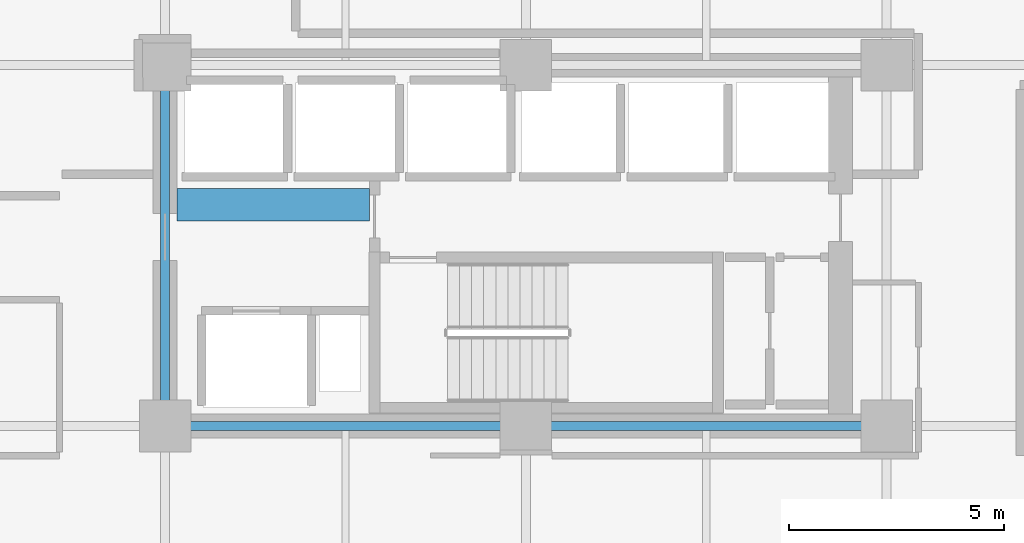
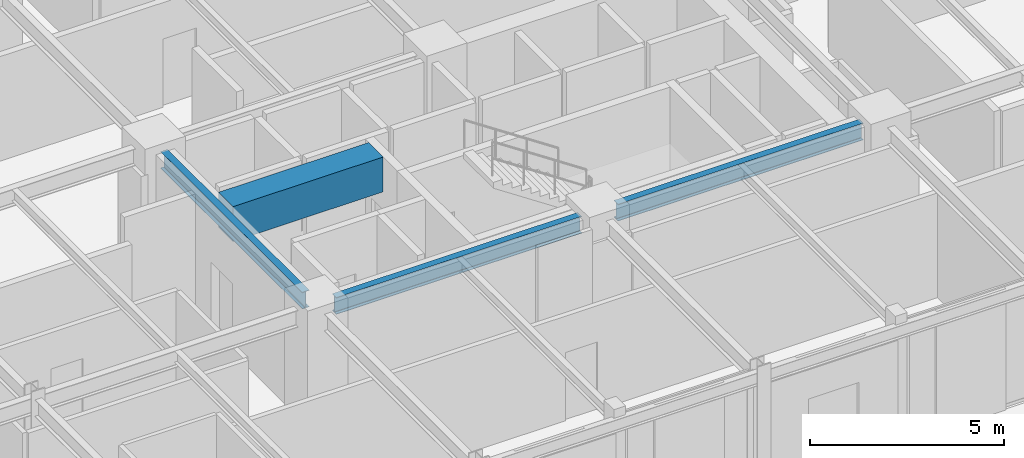
# One storey, part 10 of 39: 4 beams.
"""IFC4 building model written with IfcOpenShell, lengths in metres."""

import ifcopenshell
import ifcopenshell.guid

model = None  # the IFC model being written
_history = None  # IfcOwnerHistory: only IFC2X3 demands one
_inside = {}  # id of a spatial element -> (the spatial element, [elements in it])
_under = {}  # id of a project, library or spatial element -> (it, [spatial elements below it])
_declared = {}  # id of a project -> (the project, [libraries it declares])
_typed = {}  # id of a type object -> (the type object, [elements of that type])
_made_of = {}  # id of a material, layer set ... -> (it, [elements and type objects made of it])


def new_model(schema):
    """Start an empty IFC model of exactly this schema.

    Asked for "IFC4X3", IfcOpenShell would pick the latest addendum, in which some entities
    have other attributes; the version numbers below select the first issue.
    IFC2X3 requires an IfcOwnerHistory on every rooted entity: one is made here for all.
    """
    global model, _history
    if schema == "IFC4X3":
        model = ifcopenshell.file(schema_version=(4, 3, 0, 0))
    else:
        model = ifcopenshell.file(schema=schema)
    _inside.clear()
    _under.clear()
    _declared.clear()
    _typed.clear()
    _made_of.clear()
    _history = None
    if model.schema == "IFC2X3":
        org = make("IfcOrganization", Name="unknown")
        user = make(
            "IfcPersonAndOrganization",
            ThePerson=make("IfcPerson", FamilyName="unknown"),
            TheOrganization=org,
        )
        app = make(
            "IfcApplication",
            ApplicationDeveloper=org,
            Version="unknown",
            ApplicationFullName="unknown",
            ApplicationIdentifier="unknown",
        )
        _history = make(
            "IfcOwnerHistory",
            OwningUser=user,
            OwningApplication=app,
            ChangeAction="ADDED",
            CreationDate=0,
        )
    return model


def make(cls, **values):
    """One entity of the class cls with the attributes given. An attribute that is None is left unset."""
    return model.create_entity(
        cls, **{name: value for name, value in values.items() if value is not None}
    )


def rooted(cls, **values):
    """An entity with a GlobalId (a new one), such as an element, a storey or a relation."""
    return make(cls, GlobalId=ifcopenshell.guid.new(), OwnerHistory=_history, **values)


def si_unit(unit_type, name, prefix=None):
    """IfcSIUnit, for example si_unit("LENGTHUNIT", "METRE", prefix="MILLI")."""
    return make("IfcSIUnit", UnitType=unit_type, Prefix=prefix, Name=name)


def assignment(units):
    """IfcUnitAssignment: the units of a project."""
    return None if units is None else make("IfcUnitAssignment", Units=units)


def point(xyz):
    """IfcCartesianPoint."""
    return None if xyz is None else make("IfcCartesianPoint", Coordinates=xyz)


def direction(xyz):
    """IfcDirection."""
    return None if xyz is None else make("IfcDirection", DirectionRatios=xyz)


def frame(location, z_axis=None, x_axis=None):
    """IfcAxis2Placement3D, a coordinate frame: its origin and axes. An axis left out is left unset."""
    return make(
        "IfcAxis2Placement3D",
        Location=point(location),
        Axis=direction(z_axis),
        RefDirection=direction(x_axis),
    )


def frame_2d(location, x_axis=None):
    """IfcAxis2Placement2D, a coordinate frame in the plane: its origin and x axis."""
    return make(
        "IfcAxis2Placement2D", Location=point(location), RefDirection=direction(x_axis)
    )


def origin():
    """The frame at (0, 0, 0) with its axes left unset."""
    return frame((0.0, 0.0, 0.0))


def origin_2d():
    """The frame at (0, 0) in the plane with its x axis left unset."""
    return frame_2d((0.0, 0.0))


def place(relative_to, where):
    """IfcLocalPlacement: puts the frame where relative to a parent placement (None: the world)."""
    return make(
        "IfcLocalPlacement", PlacementRelTo=relative_to, RelativePlacement=where
    )


def context(
    kind, dimensions, precision=None, world=None, true_north=None, identifier=None
):
    """IfcGeometricRepresentationContext, for example the 3D "Model" context."""
    return make(
        "IfcGeometricRepresentationContext",
        ContextIdentifier=identifier,
        ContextType=kind,
        CoordinateSpaceDimension=dimensions,
        Precision=precision,
        WorldCoordinateSystem=world,
        TrueNorth=true_north,
    )


def subcontext(parent, identifier, kind, view, scale=None):
    """IfcGeometricRepresentationSubContext, for example "Body" below "Model"."""
    return make(
        "IfcGeometricRepresentationSubContext",
        ContextIdentifier=identifier,
        ContextType=kind,
        ParentContext=parent,
        TargetScale=scale,
        TargetView=view,
    )


def project(units=None, contexts=None):
    """IfcProject with its units and contexts."""
    return rooted(
        "IfcProject",
        Name="project",
        RepresentationContexts=contexts,
        UnitsInContext=assignment(units),
    )


def spatial(cls, under=None, at=None, **own):
    """A site, building, storey or space (cls), placed at a placement, below another one or the project."""
    s = rooted(cls, ObjectPlacement=at, **own)
    if under is not None:
        _under.setdefault(under.id(), (under, []))[1].append(s)
    return s


def profile(cls, at=None, kind="AREA", **sizes):
    """A parametric profile (cls). Its sizes go by their IFC names, for example OverallWidth=200.0."""
    return make(cls, ProfileType=kind, Position=at, **sizes)


def rectangle(**sizes):
    """IfcRectangleProfileDef."""
    return profile("IfcRectangleProfileDef", **sizes)


def i_section(**sizes):
    """IfcIShapeProfileDef."""
    return profile("IfcIShapeProfileDef", **sizes)


def extrude(swept, where, along, depth):
    """IfcExtrudedAreaSolid: the profile swept, set in the frame where, extruded along a direction by depth."""
    return make(
        "IfcExtrudedAreaSolid",
        SweptArea=swept,
        Position=where,
        ExtrudedDirection=direction(along),
        Depth=depth,
    )


def shape(context_of_items, identifier, shape_type, items):
    """IfcShapeRepresentation: the items that make up one representation, for example the "Body"."""
    return make(
        "IfcShapeRepresentation",
        ContextOfItems=context_of_items,
        RepresentationIdentifier=identifier,
        RepresentationType=shape_type,
        Items=items,
    )


def material(Name=None, Category=None):
    """IfcMaterial."""
    return make("IfcMaterial", Name=Name, Category=Category)


def material_profile(
    of_material, cross_section, Name=None, Category=None, Priority=None
):
    """IfcMaterialProfile: a cross section and its material."""
    return make(
        "IfcMaterialProfile",
        Name=Name,
        Material=of_material,
        Profile=cross_section,
        Priority=Priority,
        Category=Category,
    )


def profile_set(profiles, Name=None, composite=None):
    """IfcMaterialProfileSet."""
    return make(
        "IfcMaterialProfileSet",
        Name=Name,
        MaterialProfiles=profiles,
        CompositeProfile=composite,
    )


def made_of(thing, what):
    """Note that an element or type object is made of a material, layer set ...; save() writes the relation."""
    if what is not None:
        _made_of.setdefault(what.id(), (what, []))[1].append(thing)
    return thing


def type_object(cls, material=None, **own):
    """A type object (cls), such as IfcWallType, which elements share."""
    return made_of(rooted(cls, **own), material)


def element(
    cls,
    number,
    at=None,
    inside=None,
    cuts=None,
    type_object=None,
    material=None,
    context=None,
    identifier="Body",
    shape_type=None,
    held_by="IfcProductDefinitionShape",
    body=None,
    shapes=None,
    **own,
):
    """One element of the class cls, such as IfcWall. Its Tag is "e" and its number.

    at: its placement. inside: the storey or other place that contains it. cuts: it is an
    opening in that element (IfcRelVoidsElement). A single representation is given by context,
    identifier, shape_type and body (its items); several are given by shapes. held_by: the class
    of the entity that holds the representations. save() writes the other relations.
    """
    e = rooted(cls, Tag="e%d" % number, ObjectPlacement=at, **own)
    if body is not None:
        shapes = [shape(context, identifier, shape_type, body)]
    if shapes is not None:
        e.Representation = make(held_by, Representations=shapes)
    if inside is not None:
        _inside.setdefault(inside.id(), (inside, []))[1].append(e)
    if cuts is not None:
        rooted(
            "IfcRelVoidsElement", RelatingBuildingElement=cuts, RelatedOpeningElement=e
        )
    if type_object is not None:
        _typed.setdefault(type_object.id(), (type_object, []))[1].append(e)
    return made_of(e, material)


def aggregate(whole, parts):
    """IfcRelAggregates: a whole, such as a stair, and the parts it consists of."""
    return rooted("IfcRelAggregates", RelatingObject=whole, RelatedObjects=parts)


def save(model, path):
    """Write the relations noted so far, then the file.

    IfcRelAggregates (storeys below a building ...), IfcRelContainedInSpatialStructure (elements
    in a storey), IfcRelDefinesByType, IfcRelAssociatesMaterial and IfcRelDeclares: one each for
    every whole, place, type object, material and project.
    """
    for whole, parts in _under.values():
        aggregate(whole, parts)
    for where, things in _inside.values():
        rooted(
            "IfcRelContainedInSpatialStructure",
            RelatedElements=things,
            RelatingStructure=where,
        )
    for kind, things in _typed.values():
        rooted("IfcRelDefinesByType", RelatedObjects=things, RelatingType=kind)
    for what, things in _made_of.values():
        rooted("IfcRelAssociatesMaterial", RelatedObjects=things, RelatingMaterial=what)
    for by, libraries in _declared.values():
        rooted("IfcRelDeclares", RelatingContext=by, RelatedDefinitions=libraries)
    model.write(path)


model = new_model("IFC4")

# Units and contexts
model_context = context("Model", 3, precision=1e-05, world=origin(), true_north=direction((0.0, 1.0)))
body_context = subcontext(model_context, "Body", "Model", "MODEL_VIEW")
ifc_project = project(units=[si_unit("LENGTHUNIT", "METRE"), si_unit("AREAUNIT", "SQUARE_METRE"), si_unit("VOLUMEUNIT", "CUBIC_METRE"), si_unit("PLANEANGLEUNIT", "RADIAN"), si_unit("MASSUNIT", "GRAM", prefix="KILO")], contexts=[model_context])

# Site, building, storey
site_placement = place(None, origin())
site = spatial("IfcSite", under=ifc_project, at=site_placement, CompositionType="ELEMENT")
building_placement = place(site_placement, origin())
building = spatial("IfcBuilding", under=site, at=building_placement, Name="Nerrivon Quay Data Exchange", CompositionType="ELEMENT")
storey_placement = place(building_placement, frame((0.0, 0.0, 104.89990234375)))
storey = spatial("IfcBuildingStorey", under=building, at=storey_placement, Name="L24", CompositionType="ELEMENT", Elevation=104.89990234375)

# Beams
ifc_material_1 = material(Name="Concrete S65 (65 MPa)", Category="concrete")
ifc_material_profile_1 = material_profile(ifc_material_1, rectangle(XDim=0.75, YDim=1.10009765625, at=origin_2d()), Name="RC-CB-750x1100")
ifc_profile_set_1 = profile_set([ifc_material_profile_1], Name="Concrete S65 (65 MPa)")
beam_type_1 = type_object("IfcBeamType", Name="BM-CB1-750x1100", PredefinedType="LINTEL", material=ifc_profile_set_1)
beam_1_placement = place(storey_placement, frame((17.074951171875, 13.550048828125, 3.275146484375), z_axis=(1.0, 0.0, 0.0), x_axis=(0.0, 1.0, 0.0)))
element("IfcBeam", 1, at=beam_1_placement, inside=storey, type_object=beam_type_1, Name="L24 East Core Coupling Beam", PredefinedType="LINTEL", context=body_context, shape_type="SweptSolid", body=[
    extrude(rectangle(XDim=0.75, YDim=1.10009765625, at=origin_2d()), origin(), (0.0, 0.0, 1.0), 4.47998046875),
])
ifc_material_2 = material(Name="Steel Grade 350", Category="steel")
ifc_material_profile_2 = material_profile(ifc_material_2, i_section(OverallWidth=0.208984375, OverallDepth=0.532958984375, WebThickness=0.01025390625, FlangeThickness=0.015625, FilletRadius=0.013916015625, at=origin_2d()), Name="530UB92.4")
ifc_profile_set_2 = profile_set([ifc_material_profile_2], Name="Steel Grade 350")
beam_type_2 = type_object("IfcBeamType", Name="BM-G3-530UB92", PredefinedType="BEAM", material=ifc_profile_set_2)
beam_2_placement = place(storey_placement, frame((17.340087890625, 8.39990234375, 3.55859375), z_axis=(1.0, 0.0, 0.0), x_axis=(0.0, 1.0, 0.0)))
element("IfcBeam", 2, at=beam_2_placement, inside=storey, type_object=beam_type_2, Name="L24 EW Girder Y=8.4 (16.8..25.2)", PredefinedType="BEAM", context=body_context, shape_type="SweptSolid", body=[
    extrude(i_section(OverallWidth=0.208984375, OverallDepth=0.532958984375, WebThickness=0.01025390625, FlangeThickness=0.015625, FilletRadius=0.013916015625, at=origin_2d()), origin(), (0.0, 0.0, 1.0), 7.31982421875),
])
beam_3_placement = place(storey_placement, frame((25.739990234375, 8.39990234375, 3.55859375), z_axis=(1.0, 0.0, 0.0), x_axis=(0.0, 1.0, 0.0)))
element("IfcBeam", 3, at=beam_3_placement, inside=storey, type_object=beam_type_2, Name="L24 EW Girder Y=8.4 (25.2..33.6)", PredefinedType="BEAM", context=body_context, shape_type="SweptSolid", body=[
    extrude(i_section(OverallWidth=0.208984375, OverallDepth=0.532958984375, WebThickness=0.01025390625, FlangeThickness=0.015625, FilletRadius=0.013916015625, at=origin_2d()), origin(), (0.0, 0.0, 1.0), 7.320068359375),
])
ifc_material_profile_3 = material_profile(ifc_material_2, i_section(OverallWidth=0.208984375, OverallDepth=0.528076171875, WebThickness=0.009521484375, FlangeThickness=0.01318359375, FilletRadius=0.013916015625, at=origin_2d()), Name="530UB82.0")
ifc_profile_set_3 = profile_set([ifc_material_profile_3], Name="Steel Grade 350")
beam_type_3 = type_object("IfcBeamType", Name="BM-G4-530UB82", PredefinedType="BEAM", material=ifc_profile_set_3)
beam_4_placement = place(storey_placement, frame((16.800048828125, 8.93994140625, 3.56103515625), z_axis=(0.0, 1.0, 0.0), x_axis=(-1.0, 0.0, 0.0)))
element("IfcBeam", 4, at=beam_4_placement, inside=storey, type_object=beam_type_3, Name="L24 NS Girder X=16.8 (8.4..16.8)", PredefinedType="BEAM", context=body_context, shape_type="SweptSolid", body=[
    extrude(i_section(OverallWidth=0.208984375, OverallDepth=0.528076171875, WebThickness=0.009521484375, FlangeThickness=0.01318359375, FilletRadius=0.013916015625, at=origin_2d()), origin(), (0.0, 0.0, 1.0), 7.320068359375),
])

save(model, "model.ifc")
